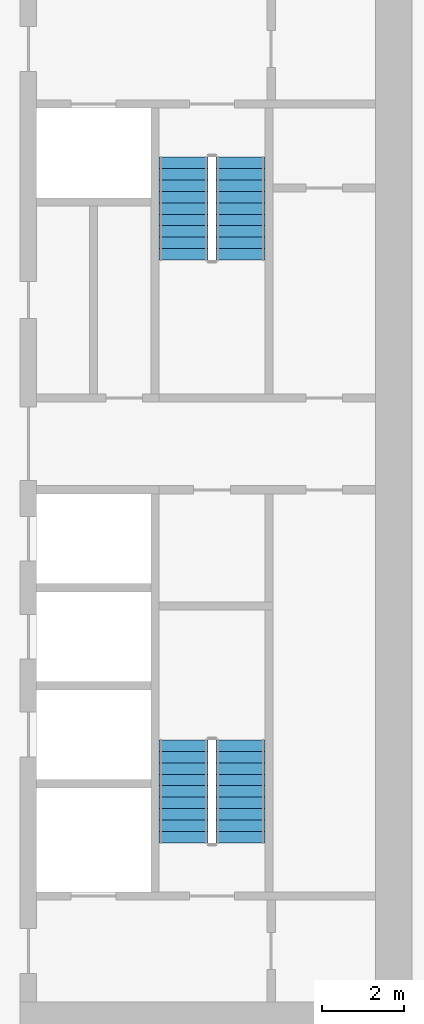
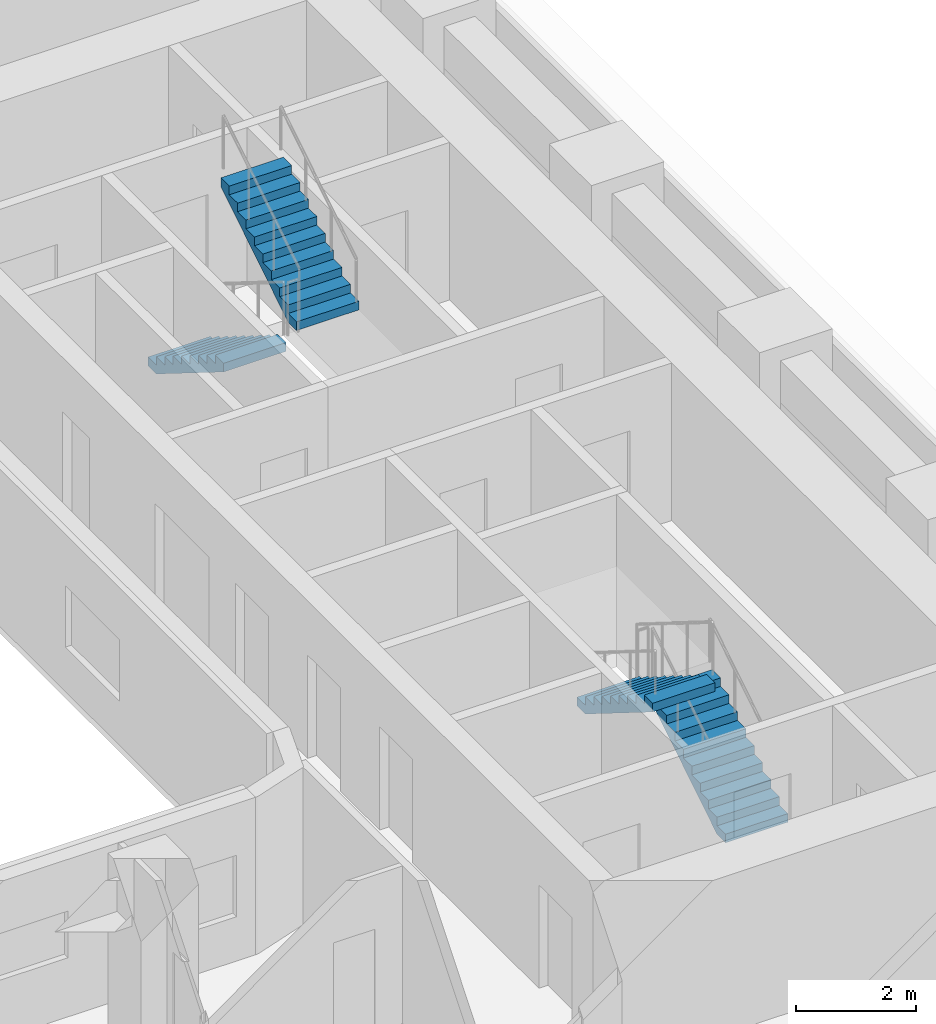
# One storey, part 11 of 22: 4 stair flights, 2 elements without a shape of their own.
"""IFC4 building model written with IfcOpenShell, lengths in metres."""

from ifc_helpers import new_model, si_unit, direction, frame, origin, place, context, subcontext, project, spatial, polyline, outline, extrude, material, type_object, element, aggregate, save


model = new_model("IFC4")

# Units and contexts
model_context = context("Model", 3, precision=1e-05, world=origin(), true_north=direction((0.0, 1.0)))
body_context = subcontext(model_context, "Body", "Model", "MODEL_VIEW")
ifc_project = project(units=[si_unit("LENGTHUNIT", "METRE"), si_unit("AREAUNIT", "SQUARE_METRE"), si_unit("VOLUMEUNIT", "CUBIC_METRE"), si_unit("PLANEANGLEUNIT", "RADIAN"), si_unit("MASSUNIT", "GRAM", prefix="KILO")], contexts=[model_context])

# Site, building, storey
site_placement = place(None, origin())
site = spatial("IfcSite", under=ifc_project, at=site_placement, CompositionType="ELEMENT")
building_placement = place(site_placement, origin())
building = spatial("IfcBuilding", under=site, at=building_placement, Name="Kiln Ring Residences", CompositionType="ELEMENT")
storey_placement = place(building_placement, frame((0.0, 0.0, 65.5)))
storey = spatial("IfcBuildingStorey", under=building, at=storey_placement, Name="L16", CompositionType="ELEMENT", Elevation=65.5)

# Stair, stair flights
ifc_material_1 = material(Name="Concrete C40/50", Category="concrete")
stair_type = type_object("IfcStairType", Name="CORE-STAIR", PredefinedType="HALF_TURN_STAIR", material=ifc_material_1)
placement = place(storey_placement, origin())
stair_1 = element("IfcStair", 1, at=placement, inside=storey, type_object=stair_type, Name="L16 stair E-STN", PredefinedType="HALF_TURN_STAIR")
ifc_material_2 = material(Name="Concrete C40/50", Category="concrete")
stair_flight_type = type_object("IfcStairFlightType", Name="CORE-STAIR-FLIGHT", PredefinedType="STRAIGHT", material=ifc_material_2)
stair_flight_1_placement = place(storey_placement, frame((21.39990234375, 8.39990234375, 0.0), z_axis=(0.0, 0.0, 1.0), x_axis=(0.0, -1.0, 0.0)))
stair_flight_1 = element("IfcStairFlight", 2, at=stair_flight_1_placement, type_object=stair_flight_type, Name="E-STN flight 1", NumberOfRisers=10, NumberOfTreads=9, PredefinedType="STRAIGHT", RiserHeight=0.175, TreadLength=0.28, context=body_context, shape_type="SweptSolid", body=[
    extrude(outline(polyline([(0.0, 0.0), (0.0, 0.175048828125), (0.280029296875, 0.175048828125), (0.280029296875, 0.35009765625), (0.56005859375, 0.35009765625), (0.56005859375, 0.52490234375), (0.840087890625, 0.52490234375), (0.840087890625, 0.699951171875), (1.1201171875, 0.699951171875), (1.1201171875, 0.875), (1.39990234375, 0.875), (1.39990234375, 1.050048828125), (1.679931640625, 1.050048828125), (1.679931640625, 1.22509765625), (1.9599609375, 1.22509765625), (1.9599609375, 1.39990234375), (2.239990234375, 1.39990234375), (2.239990234375, 1.574951171875), (2.52001953125, 1.574951171875), (2.52001953125, 1.75), (2.52001953125, 1.398193359375), (0.28271484375, 0.0), (0.0, 0.0)])), frame((0.0, 0.60009765625, 0.0), z_axis=(0.0, -1.0, 0.0), x_axis=(1.0, 0.0, 0.0)), (0.0, 0.0, 1.0), 1.199951171875),
])
stair_flight_2_placement = place(storey_placement, frame((22.800048828125, 5.8798828125, 1.75), z_axis=(0.0, 0.0, 1.0), x_axis=(0.0, 1.0, 0.0)))
stair_flight_2 = element("IfcStairFlight", 3, at=stair_flight_2_placement, type_object=stair_flight_type, Name="E-STN flight 2", NumberOfRisers=10, NumberOfTreads=9, PredefinedType="STRAIGHT", RiserHeight=0.175, TreadLength=0.28, context=body_context, shape_type="SweptSolid", body=[
    extrude(outline(polyline([(0.0, 0.0), (0.0, 0.175048828125), (0.280029296875, 0.175048828125), (0.280029296875, 0.35009765625), (0.56005859375, 0.35009765625), (0.56005859375, 0.52490234375), (0.840087890625, 0.52490234375), (0.840087890625, 0.699951171875), (1.1201171875, 0.699951171875), (1.1201171875, 0.875), (1.39990234375, 0.875), (1.39990234375, 1.050048828125), (1.679931640625, 1.050048828125), (1.679931640625, 1.22509765625), (1.9599609375, 1.22509765625), (1.9599609375, 1.39990234375), (2.239990234375, 1.39990234375), (2.239990234375, 1.574951171875), (2.52001953125, 1.574951171875), (2.52001953125, 1.75), (2.52001953125, 1.398193359375), (0.28271484375, 0.0), (0.0, 0.0)])), frame((0.0, 0.60009765625, 0.0), z_axis=(0.0, -1.0, 0.0), x_axis=(1.0, 0.0, 0.0)), (0.0, 0.0, 1.0), 1.199951171875),
])
aggregate(stair_1, [stair_flight_1, stair_flight_2])

stair_2 = element("IfcStair", 4, at=placement, inside=storey, type_object=stair_type, Name="L16 stair E-STS", PredefinedType="HALF_TURN_STAIR")
stair_flight_3_placement = place(storey_placement, frame((22.800048828125, -8.39990234375, 0.0), z_axis=(0.0, 0.0, 1.0), x_axis=(0.0, 1.0, 0.0)))
stair_flight_3 = element("IfcStairFlight", 5, at=stair_flight_3_placement, type_object=stair_flight_type, Name="E-STS flight 1", NumberOfRisers=10, NumberOfTreads=9, PredefinedType="STRAIGHT", RiserHeight=0.175, TreadLength=0.28, context=body_context, shape_type="SweptSolid", body=[
    extrude(outline(polyline([(0.0, 0.0), (0.0, 0.175048828125), (0.280029296875, 0.175048828125), (0.280029296875, 0.35009765625), (0.56005859375, 0.35009765625), (0.56005859375, 0.52490234375), (0.840087890625, 0.52490234375), (0.840087890625, 0.699951171875), (1.1201171875, 0.699951171875), (1.1201171875, 0.875), (1.39990234375, 0.875), (1.39990234375, 1.050048828125), (1.679931640625, 1.050048828125), (1.679931640625, 1.22509765625), (1.9599609375, 1.22509765625), (1.9599609375, 1.39990234375), (2.239990234375, 1.39990234375), (2.239990234375, 1.574951171875), (2.52001953125, 1.574951171875), (2.52001953125, 1.75), (2.52001953125, 1.398193359375), (0.28271484375, 0.0), (0.0, 0.0)])), frame((0.0, 0.60009765625, 0.0), z_axis=(0.0, -1.0, 0.0), x_axis=(1.0, 0.0, 0.0)), (0.0, 0.0, 1.0), 1.199951171875),
])
stair_flight_4_placement = place(storey_placement, frame((21.39990234375, -5.8798828125, 1.75), z_axis=(0.0, 0.0, 1.0), x_axis=(0.0, -1.0, 0.0)))
stair_flight_4 = element("IfcStairFlight", 6, at=stair_flight_4_placement, type_object=stair_flight_type, Name="E-STS flight 2", NumberOfRisers=10, NumberOfTreads=9, PredefinedType="STRAIGHT", RiserHeight=0.175, TreadLength=0.28, context=body_context, shape_type="SweptSolid", body=[
    extrude(outline(polyline([(0.0, 0.0), (0.0, 0.175048828125), (0.280029296875, 0.175048828125), (0.280029296875, 0.35009765625), (0.56005859375, 0.35009765625), (0.56005859375, 0.52490234375), (0.840087890625, 0.52490234375), (0.840087890625, 0.699951171875), (1.1201171875, 0.699951171875), (1.1201171875, 0.875), (1.39990234375, 0.875), (1.39990234375, 1.050048828125), (1.679931640625, 1.050048828125), (1.679931640625, 1.22509765625), (1.9599609375, 1.22509765625), (1.9599609375, 1.39990234375), (2.239990234375, 1.39990234375), (2.239990234375, 1.574951171875), (2.52001953125, 1.574951171875), (2.52001953125, 1.75), (2.52001953125, 1.398193359375), (0.28271484375, 0.0), (0.0, 0.0)])), frame((0.0, 0.60009765625, 0.0), z_axis=(0.0, -1.0, 0.0), x_axis=(1.0, 0.0, 0.0)), (0.0, 0.0, 1.0), 1.199951171875),
])
aggregate(stair_2, [stair_flight_3, stair_flight_4])

save(model, "model.ifc")
